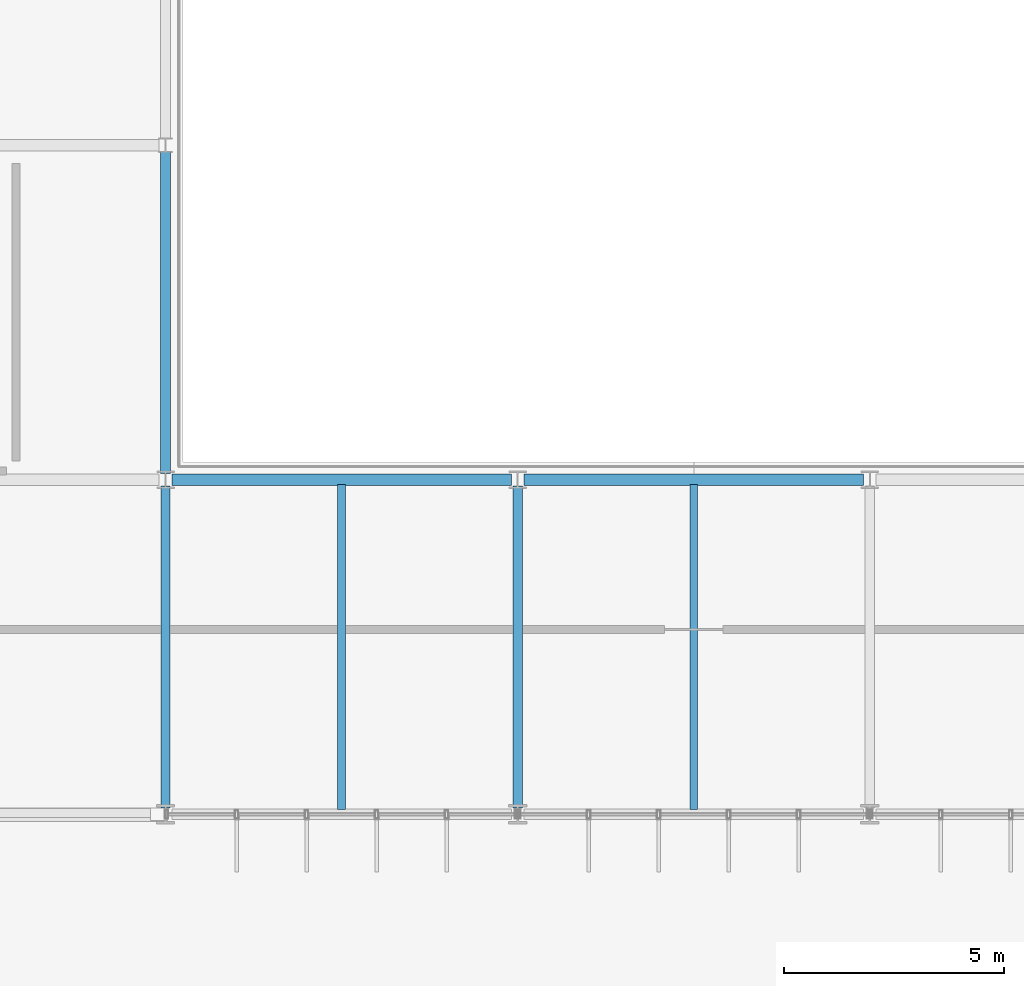
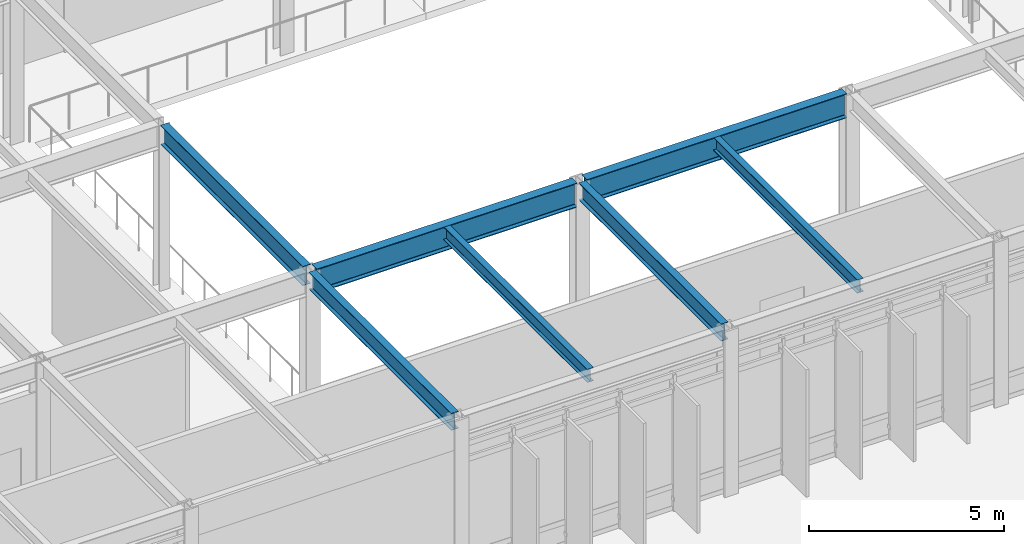
# One storey, part 36 of 94: 7 beams.
"""IFC4 building model written with IfcOpenShell, lengths in metres."""

from ifc_helpers import new_model, si_unit, direction, frame, origin, origin_2d, place, context, subcontext, project, spatial, i_section, extrude, material, material_profile, profile_set, type_object, element, save


model = new_model("IFC4")

# Units and contexts
model_context = context("Model", 3, precision=1e-05, world=origin(), true_north=direction((0.0, 1.0)))
body_context = subcontext(model_context, "Body", "Model", "MODEL_VIEW")
ifc_project = project(units=[si_unit("LENGTHUNIT", "METRE"), si_unit("AREAUNIT", "SQUARE_METRE"), si_unit("VOLUMEUNIT", "CUBIC_METRE"), si_unit("PLANEANGLEUNIT", "RADIAN"), si_unit("MASSUNIT", "GRAM", prefix="KILO")], contexts=[model_context])

# Site, building, storey
site_placement = place(None, origin())
site = spatial("IfcSite", under=ifc_project, at=site_placement, CompositionType="ELEMENT")
building_placement = place(site_placement, origin())
building = spatial("IfcBuilding", under=site, at=building_placement, Name="Zulena Civic Courthouse", CompositionType="ELEMENT")
storey_placement = place(building_placement, frame((0.0, 0.0, 5.39990234375)))
storey = spatial("IfcBuildingStorey", under=building, at=storey_placement, Name="L01", CompositionType="ELEMENT", Elevation=5.39990234375)

# Beams
ifc_material = material(Name="Steel ASTM A992 Grade 50", Category="steel")
ifc_material_profile_1 = material_profile(ifc_material, i_section(OverallWidth=0.22802734375, OverallDepth=0.60693359375, WebThickness=0.01123046875, FlangeThickness=0.017333984375, FilletRadius=0.0126953125, at=origin_2d()), Name="W24X76")
ifc_profile_set_1 = profile_set([ifc_material_profile_1], Name="Steel ASTM A992 Grade 50")
beam_type_1 = type_object("IfcBeamType", Name="Girder_W24X76", PredefinedType="BEAM", material=ifc_profile_set_1)
beam_placement = place(storey_placement, frame((84.0, 22.945068359375, 4.881591796875), z_axis=(0.0, 1.0, 0.0), x_axis=(-1.0, 0.0, 0.0)))
element("IfcBeam", 1, at=beam_placement, inside=storey, type_object=beam_type_1, Name="beam:Y:V4:L01:84.0:22.8_30.4", PredefinedType="BEAM", context=body_context, shape_type="SweptSolid", body=[
    extrude(i_section(OverallWidth=0.22802734375, OverallDepth=0.60693359375, WebThickness=0.01123046875, FlangeThickness=0.017333984375, FilletRadius=0.0126953125, at=origin_2d()), origin(), (0.0, 0.0, 1.0), 7.309814453125),
])
ifc_material_profile_2 = material_profile(ifc_material, i_section(OverallWidth=0.26708984375, OverallDepth=0.761962890625, WebThickness=0.014404296875, FlangeThickness=0.021484375, FilletRadius=0.0166015625, at=origin_2d()), Name="W30X116")
ifc_profile_set_2 = profile_set([ifc_material_profile_2], Name="Steel ASTM A992 Grade 50")
beam_type_2 = type_object("IfcBeamType", Name="Girder_W30X116", PredefinedType="BEAM", material=ifc_profile_set_2)
for number, where, z_axis, x_axis, name in (
    (2, (84.14501953125, 22.800048828125, 4.80419921875), (1.0, 0.0, 0.0), (0.0, 1.0, 0.0), "beam:X:V4:L01:22.8:84.0_92.0"),
    (3, (92.14501953125, 22.800048828125, 4.80419921875), (1.0, 0.0, 0.0), (0.0, 1.0, 0.0), "beam:X:V4:L01:22.8:92.0_100.0"),
):
    element("IfcBeam", number, at=place(storey_placement, frame(where, z_axis=z_axis, x_axis=x_axis)), inside=storey, type_object=beam_type_2, Name=name, PredefinedType="BEAM", context=body_context, shape_type="SweptSolid", body=[
        extrude(i_section(OverallWidth=0.26708984375, OverallDepth=0.761962890625, WebThickness=0.014404296875, FlangeThickness=0.021484375, FilletRadius=0.0166015625, at=origin_2d()), origin(), (0.0, 0.0, 1.0), 7.7099609375),
    ])
ifc_material_profile_3 = material_profile(ifc_material, i_section(OverallWidth=0.180908203125, OverallDepth=0.4169921875, WebThickness=0.010986328125, FlangeThickness=0.018310546875, FilletRadius=0.01025390625, at=origin_2d()), Name="W16X57")
ifc_profile_set_3 = profile_set([ifc_material_profile_3], Name="Steel ASTM A992 Grade 50")
beam_type_3 = type_object("IfcBeamType", Name="Joist_W16X57", PredefinedType="JOIST", material=ifc_profile_set_3)
for number, where, z_axis, x_axis, name in (
    (4, (88.0, 15.304931640625, 4.9765625), (0.0, 1.0, 0.0), (-1.0, 0.0, 0.0), "joist:V4:L01:88.00:15.2_22.8"),
    (5, (96.0, 15.304931640625, 4.9765625), (0.0, 1.0, 0.0), (-1.0, 0.0, 0.0), "joist:V4:L01:96.00:15.2_22.8"),
):
    element("IfcBeam", number, at=place(storey_placement, frame(where, z_axis=z_axis, x_axis=x_axis)), inside=storey, type_object=beam_type_3, Name=name, PredefinedType="JOIST", context=body_context, shape_type="SweptSolid", body=[
        extrude(i_section(OverallWidth=0.180908203125, OverallDepth=0.4169921875, WebThickness=0.010986328125, FlangeThickness=0.018310546875, FilletRadius=0.01025390625, at=origin_2d()), origin(), (0.0, 0.0, 1.0), 7.39013671875),
    ])
ifc_material_profile_4 = material_profile(ifc_material, i_section(OverallWidth=0.2099609375, OverallDepth=0.537109375, WebThickness=0.010986328125, FlangeThickness=0.017333984375, FilletRadius=0.0126953125, at=origin_2d()), Name="W21X68")
ifc_profile_set_4 = profile_set([ifc_material_profile_4], Name="Steel ASTM A992 Grade 50")
beam_type_4 = type_object("IfcBeamType", Name="Spandrel_W21X68", PredefinedType="SPANDREL", material=ifc_profile_set_4)
for number, where, z_axis, x_axis, name in (
    (6, (84.0, 15.344970703125, 4.91650390625), (0.0, 1.0, 0.0), (-1.0, 0.0, 0.0), "beam:Y:V4:L01:84.0:15.2_22.8"),
    (7, (92.0, 15.344970703125, 4.91650390625), (0.0, 1.0, 0.0), (-1.0, 0.0, 0.0), "beam:Y:V4:L01:92.0:15.2_22.8"),
):
    element("IfcBeam", number, at=place(storey_placement, frame(where, z_axis=z_axis, x_axis=x_axis)), inside=storey, type_object=beam_type_4, Name=name, PredefinedType="SPANDREL", context=body_context, shape_type="SweptSolid", body=[
        extrude(i_section(OverallWidth=0.2099609375, OverallDepth=0.537109375, WebThickness=0.010986328125, FlangeThickness=0.017333984375, FilletRadius=0.0126953125, at=origin_2d()), origin(), (0.0, 0.0, 1.0), 7.31005859375),
    ])

save(model, "model.ifc")
